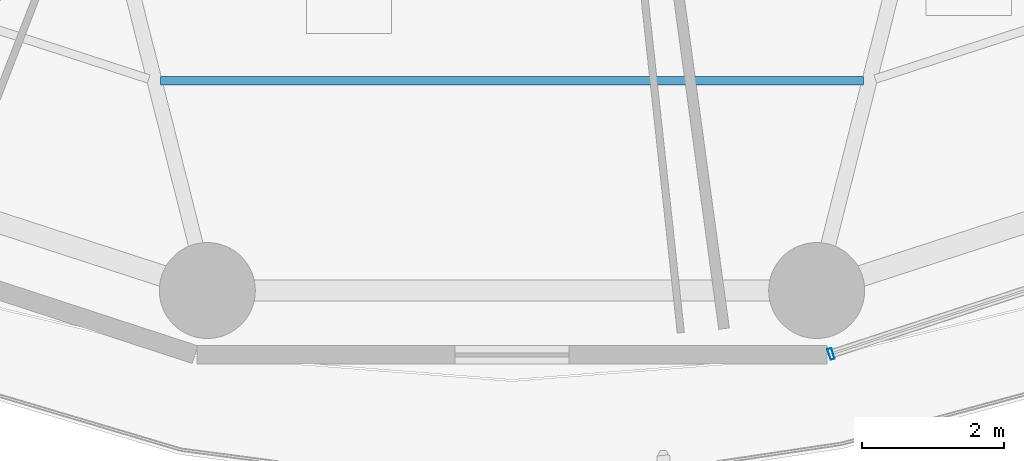
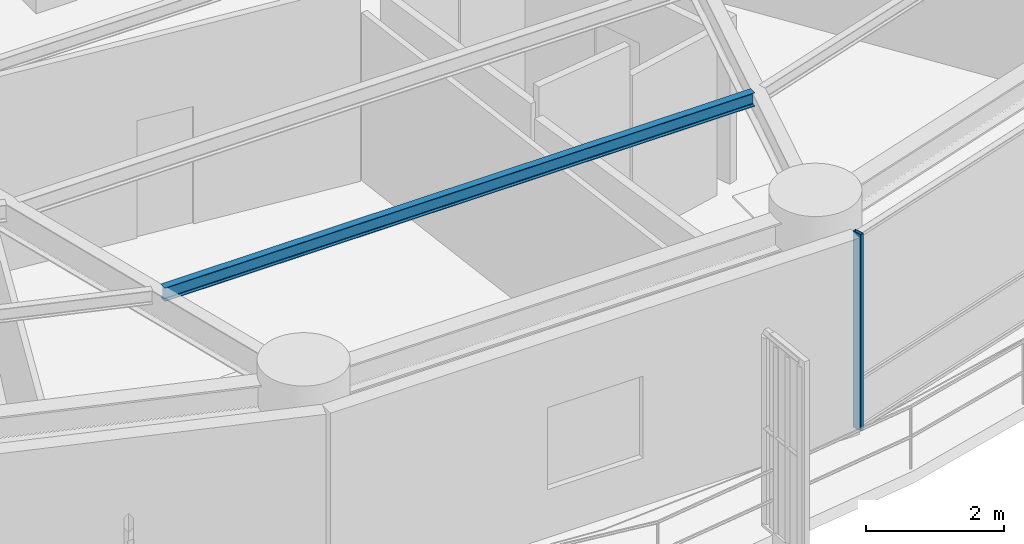
# One storey, part 4 of 37: 1 beam, 1 member, 1 element without a shape of its own.
"""IFC4 building model written with IfcOpenShell, lengths in metres."""

from ifc_helpers import new_model, si_unit, direction, frame, origin, origin_2d, place, context, subcontext, project, spatial, hollow_rectangle, i_section, extrude, material, layer, layer_set, material_profile, profile_set, type_object, element, aggregate, save


model = new_model("IFC4")

# Units and contexts
model_context = context("Model", 3, precision=1e-05, world=origin(), true_north=direction((0.0, 1.0)))
body_context = subcontext(model_context, "Body", "Model", "MODEL_VIEW")
ifc_project = project(units=[si_unit("LENGTHUNIT", "METRE"), si_unit("AREAUNIT", "SQUARE_METRE"), si_unit("VOLUMEUNIT", "CUBIC_METRE"), si_unit("PLANEANGLEUNIT", "RADIAN"), si_unit("MASSUNIT", "GRAM", prefix="KILO")], contexts=[model_context])

# Site, building, storey
site_placement = place(None, origin())
site = spatial("IfcSite", under=ifc_project, at=site_placement, CompositionType="ELEMENT")
building_placement = place(site_placement, origin())
building = spatial("IfcBuilding", under=site, at=building_placement, Name="Kelanora Arch Commons", CompositionType="ELEMENT")
storey_placement = place(building_placement, frame((0.0, 0.0, 113.85009765625)))
storey = spatial("IfcBuildingStorey", under=building, at=storey_placement, Name="L29", CompositionType="ELEMENT", Elevation=113.85009765625)

# Beam
ifc_material_1 = material(Name="Steel S355", Category="steel")
ifc_material_profile_1 = material_profile(ifc_material_1, i_section(OverallWidth=0.1201171875, OverallDepth=0.239990234375, WebThickness=0.006103515625, FlangeThickness=0.009765625, FilletRadius=0.014892578125, at=origin_2d()), Name="IPE240")
ifc_profile_set_1 = profile_set([ifc_material_profile_1], Name="Steel S355")
beam_type = type_object("IfcBeamType", Name="BM-JST-02", PredefinedType="JOIST", material=ifc_profile_set_1)
beam_placement = place(storey_placement, frame((69.056396484375, 39.204345703125, 3.369873046875), z_axis=(1.0, 0.0, 0.0), x_axis=(0.0, 1.0, 0.0)))
element("IfcBeam", 1, at=beam_placement, inside=storey, type_object=beam_type, Name="Secondary Chord Joist BJC-26 L29", PredefinedType="JOIST", context=body_context, shape_type="SweptSolid", body=[
    extrude(i_section(OverallWidth=0.1201171875, OverallDepth=0.239990234375, WebThickness=0.006103515625, FlangeThickness=0.009765625, FilletRadius=0.014892578125, at=origin_2d()), origin(), (0.0, 0.0, 1.0), 9.88720703125),
])

# Curtain wall, member
ifc_material_2 = material(Name="Terracotta ceramic-fritted low-E glass and aluminium", Category="masonry")
ifc_layer = layer(ifc_material_2, 0.159912109375)
ifc_layer_set = layer_set([ifc_layer], Name="Terracotta ceramic-fritted low-E glass and aluminium")
curtain_wall_type = type_object("IfcCurtainWallType", Name="CW-SYS-01", PredefinedType="NOTDEFINED", material=ifc_layer_set)
curtain_wall_placement = place(storey_placement, origin())
curtain_wall = element("IfcCurtainWall", 2, at=curtain_wall_placement, inside=storey, type_object=curtain_wall_type, Name="Unitised Curtain Wall L29-B14", PredefinedType="NOTDEFINED")
ifc_material_3 = material(Name="Powder-coated aluminium terracotta", Category="masonry")
ifc_material_profile_2 = material_profile(ifc_material_3, hollow_rectangle(XDim=0.159912109375, YDim=0.06005859375, WallThickness=0.0048828125, InnerFilletRadius=0.0048828125, OuterFilletRadius=0.010009765625, at=origin_2d()), Name="CWM160x60")
ifc_profile_set_2 = profile_set([ifc_material_profile_2], Name="Powder-coated aluminium terracotta")
member_type = type_object("IfcMemberType", Name="CWM-STD", PredefinedType="MULLION", material=ifc_profile_set_2)
member_placement = place(storey_placement, frame((78.48828125, 35.363525390625, 0.0), z_axis=(0.0, 0.0, 1.0), x_axis=(-0.31080470294, 0.950473795867, 0.0)))
member = element("IfcMember", 3, at=member_placement, type_object=member_type, Name="CW-01 mullion 1", PredefinedType="MULLION", context=body_context, shape_type="SweptSolid", body=[
    extrude(hollow_rectangle(XDim=0.159912109375, YDim=0.06005859375, WallThickness=0.0048828125, InnerFilletRadius=0.0048828125, OuterFilletRadius=0.010009765625, at=origin_2d()), origin(), (0.0, 0.0, 1.0), 3.474853515625),
])
aggregate(curtain_wall, [member])

save(model, "model.ifc")
